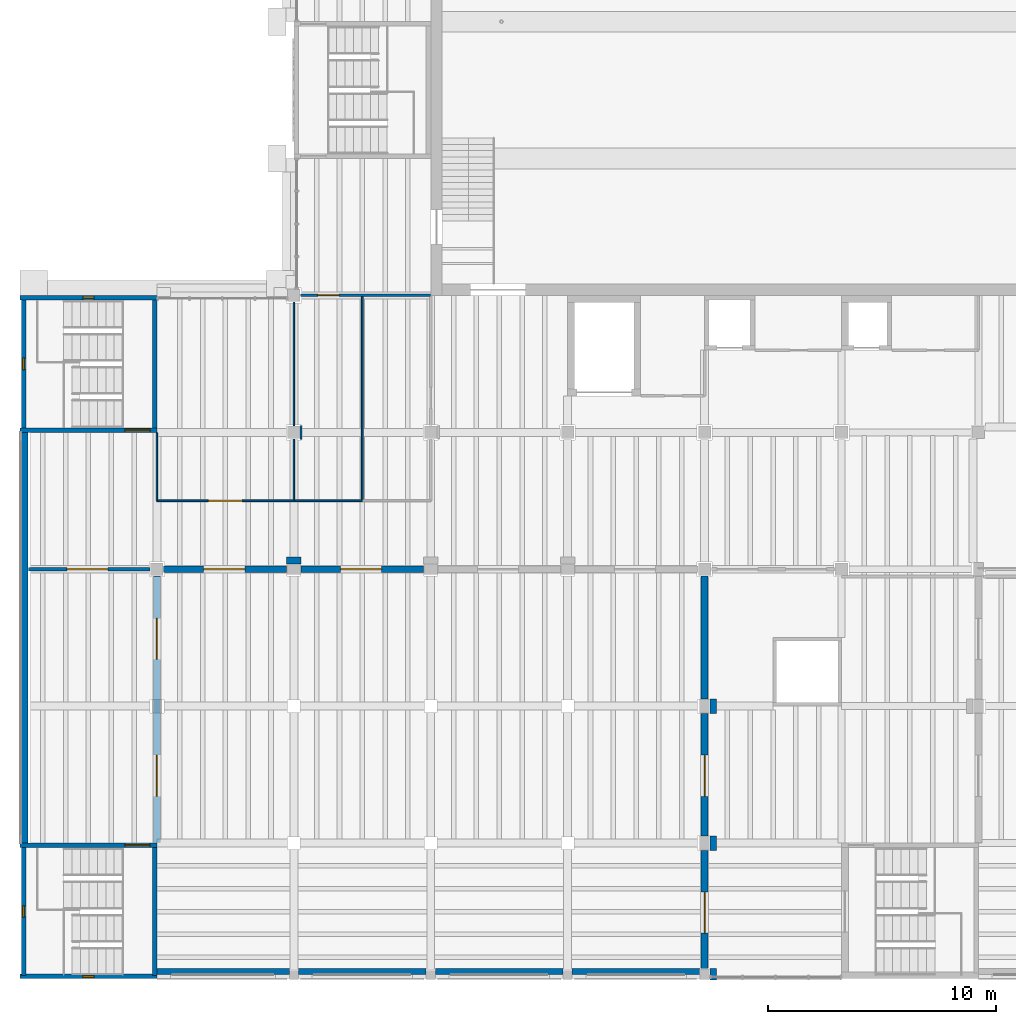
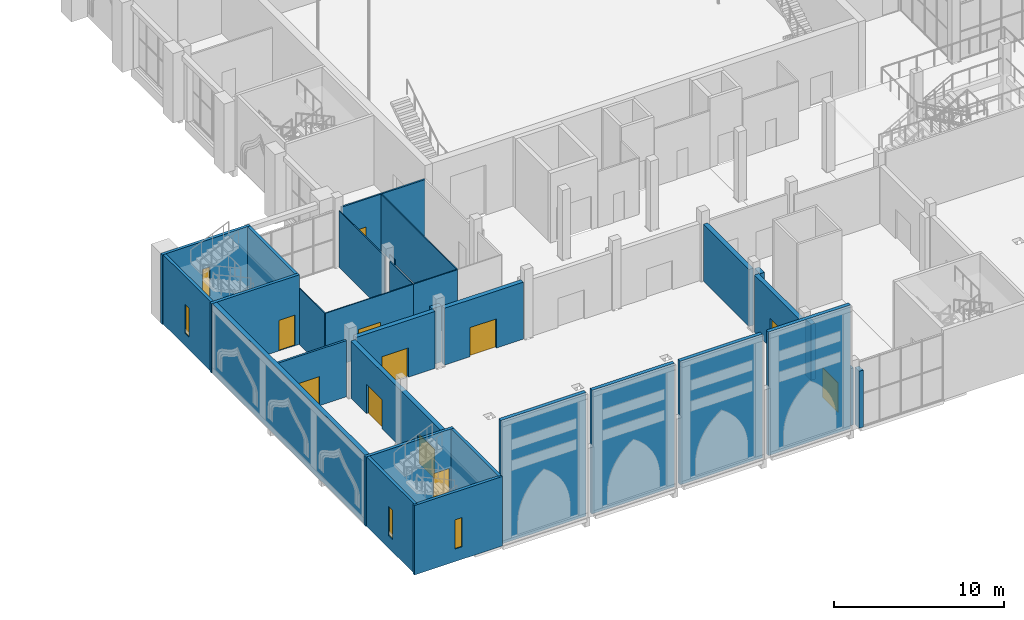
# One storey, part 37 of 80: 32 walls, 11 doors, 4 windows, 15 openings.
"""IFC4 building model written with IfcOpenShell, lengths in metres."""

from ifc_helpers import new_model, si_unit, direction, frame, frame_2d, origin, place, context, subcontext, project, spatial, rectangle, extrude, material, layer, layer_set, type_object, element, fill, save


model = new_model("IFC4")

# Units and contexts
model_context = context("Model", 3, precision=1e-05, world=origin(), true_north=direction((0.0, 1.0)))
body_context = subcontext(model_context, "Body", "Model", "MODEL_VIEW")
ifc_project = project(units=[si_unit("LENGTHUNIT", "METRE"), si_unit("AREAUNIT", "SQUARE_METRE"), si_unit("VOLUMEUNIT", "CUBIC_METRE"), si_unit("PLANEANGLEUNIT", "RADIAN"), si_unit("MASSUNIT", "GRAM", prefix="KILO")], contexts=[model_context])

# Site, building, storey
site_placement = place(None, origin())
site = spatial("IfcSite", under=ifc_project, at=site_placement, CompositionType="ELEMENT")
building_placement = place(site_placement, origin())
building = spatial("IfcBuilding", under=site, at=building_placement, Name="Saffron Lane Theatres", CompositionType="ELEMENT")
storey_placement = place(building_placement, frame((0.0, 0.0, 7.0)))
storey = spatial("IfcBuildingStorey", under=building, at=storey_placement, Name="L01", CompositionType="ELEMENT", Elevation=7.0)

# Walls
ifc_material_1 = material(Name="Masonry pale clay brick", Category="masonry")
ifc_layer_1 = layer(ifc_material_1, 0.25)
ifc_layer_set_1 = layer_set([ifc_layer_1], Name="Masonry pale clay brick")
wall_type_1 = type_object("IfcWallType", Name="EX-WALL BRICK 250", PredefinedType="SOLIDWALL", material=ifc_layer_set_1)
wall_1_placement = place(storey_placement, frame((29.799560546875, 0.375, 0.0), z_axis=(0.0, 0.0, 1.0), x_axis=(-1.0, 0.0, 0.0)))
element("IfcWall", 1, at=wall_1_placement, inside=storey, type_object=wall_type_1, Name="External wall L01 22", PredefinedType="SOLIDWALL", context=body_context, shape_type="SweptSolid", body=[
    extrude(rectangle(XDim=5.599609375, YDim=0.25, at=frame_2d((2.7998046875, 0.0))), origin(), (0.0, 0.0, 1.0), 8.89990234375),
])
for number, where, z_axis, x_axis, name in (
    (2, (23.800048828125, 0.375, 0.0), (0.0, 0.0, 1.0), (-1.0, 0.0, 0.0), "External wall L01 23"),
    (3, (17.800048828125, 0.375, 0.0), (0.0, 0.0, 1.0), (-1.0, 0.0, 0.0), "External wall L01 24"),
):
    element("IfcWall", number, at=place(storey_placement, frame(where, z_axis=z_axis, x_axis=x_axis)), inside=storey, type_object=wall_type_1, Name=name, PredefinedType="SOLIDWALL", context=body_context, shape_type="SweptSolid", body=[
        extrude(rectangle(XDim=5.60009765625, YDim=0.25, at=frame_2d((2.800048828125, 0.0))), origin(), (0.0, 0.0, 1.0), 8.89990234375),
    ])
wall_2_placement = place(storey_placement, frame((11.800048828125, 0.375, 0.0), z_axis=(0.0, 0.0, 1.0), x_axis=(-1.0, 0.0, 0.0)))
element("IfcWall", 4, at=wall_2_placement, inside=storey, type_object=wall_type_1, Name="External wall L01 25", PredefinedType="SOLIDWALL", context=body_context, shape_type="SweptSolid", body=[
    extrude(rectangle(XDim=5.800048828125, YDim=0.25, at=frame_2d((2.89990234375, 0.0))), origin(), (0.0, 0.0, 1.0), 8.89990234375),
])

# Wall, opening, door
ifc_material_2 = material(Name="Acoustic masonry fire wall", Category="masonry")
ifc_layer_2 = layer(ifc_material_2, 0.300048828125)
ifc_layer_set_2 = layer_set([ifc_layer_2], Name="Acoustic masonry fire wall")
wall_type_2 = type_object("IfcWallType", Name="IN-ACOUSTIC FIRE WALL 300", PredefinedType="PARTITIONING", material=ifc_layer_set_2)
wall_3_placement = place(storey_placement, frame((6.294921875, 18.0, 0.0), z_axis=(0.0, 0.0, 1.0), x_axis=(1.0, 0.0, 0.0)))
wall_3 = element("IfcWall", 5, at=wall_3_placement, inside=storey, type_object=wall_type_2, Name="PW-L01-001", PredefinedType="PARTITIONING", context=body_context, shape_type="SweptSolid", body=[
    extrude(rectangle(XDim=5.385009765625, YDim=0.300048828125, at=frame_2d((2.6923828125, 0.0))), origin(), (0.0, 0.0, 1.0), 4.10009765625),
])
opening_1_placement = place(wall_3_placement, frame((1.7548828125, 0.0, 0.0)))
opening_1 = element("IfcOpeningElement", 6, at=opening_1_placement, cuts=wall_3, Name="Opening D01-17", PredefinedType="OPENING", context=body_context, shape_type="SweptSolid", body=[
    extrude(rectangle(XDim=1.800048828125, YDim=2.10009765625, at=frame_2d((0.89990234375, 1.050048828125))), frame((0.0, 0.16015625, 0.0), z_axis=(0.0, -1.0, 0.0), x_axis=(1.0, 0.0, 0.0)), (0.0, 0.0, 1.0), 0.320068359375),
])
ifc_material_3 = material(Name="Steel faced fire door leaf", Category="steel")
door_type_1 = type_object("IfcDoorType", Name="IN-DOOR 1800x2100 FD120", OperationType="DOUBLE_DOOR_SINGLE_SWING", PredefinedType="DOOR", material=ifc_material_3)
door_1_placement = place(opening_1_placement, origin())
door_1 = element("IfcDoor", 7, at=door_1_placement, inside=storey, type_object=door_type_1, Name="D01-17", OperationType="DOUBLE_DOOR_SINGLE_SWING", OverallHeight=2.10009765625, OverallWidth=1.800048828125, PredefinedType="DOOR", context=body_context, shape_type="SweptSolid", body=[
    extrude(rectangle(XDim=1.800048828125, YDim=2.10009765625, at=frame_2d((0.89990234375, 1.050048828125))), frame((0.0, 0.02490234375, 0.0), z_axis=(0.0, -1.0, 0.0), x_axis=(1.0, 0.0, 0.0)), (0.0, 0.0, 1.0), 0.050048828125),
])
fill(opening_1, door_1)

wall_4_placement = place(storey_placement, frame((12.320068359375, 18.0, 0.0), z_axis=(0.0, 0.0, 1.0), x_axis=(1.0, 0.0, 0.0)))
wall_4 = element("IfcWall", 8, at=wall_4_placement, inside=storey, type_object=wall_type_2, Name="PW-L01-002", PredefinedType="PARTITIONING", context=body_context, shape_type="SweptSolid", body=[
    extrude(rectangle(XDim=5.35986328125, YDim=0.300048828125, at=frame_2d((2.679931640625, 0.0))), origin(), (0.0, 0.0, 1.0), 4.10009765625),
])
opening_2_placement = place(wall_4_placement, frame((1.72998046875, 0.0, 0.0)))
opening_2 = element("IfcOpeningElement", 9, at=opening_2_placement, cuts=wall_4, Name="Opening D01-18", PredefinedType="OPENING", context=body_context, shape_type="SweptSolid", body=[
    extrude(rectangle(XDim=1.800048828125, YDim=2.10009765625, at=frame_2d((0.89990234375, 1.050048828125))), frame((0.0, 0.16015625, 0.0), z_axis=(0.0, -1.0, 0.0), x_axis=(1.0, 0.0, 0.0)), (0.0, 0.0, 1.0), 0.320068359375),
])
door_2_placement = place(opening_2_placement, origin())
door_2 = element("IfcDoor", 10, at=door_2_placement, inside=storey, type_object=door_type_1, Name="D01-18", OperationType="DOUBLE_DOOR_SINGLE_SWING", OverallHeight=2.10009765625, OverallWidth=1.800048828125, PredefinedType="DOOR", context=body_context, shape_type="SweptSolid", body=[
    extrude(rectangle(XDim=1.800048828125, YDim=2.10009765625, at=frame_2d((0.89990234375, 1.050048828125))), frame((0.0, 0.02490234375, 0.0), z_axis=(0.0, -1.0, 0.0), x_axis=(1.0, 0.0, 0.0)), (0.0, 0.0, 1.0), 0.050048828125),
])
fill(opening_2, door_2)

# Wall
wall_5_placement = place(storey_placement, frame((11.679931640625, 18.3798828125, 0.0), z_axis=(0.0, 0.0, 1.0), x_axis=(1.0, 0.0, 0.0)))
element("IfcWall", 11, at=wall_5_placement, inside=storey, type_object=wall_type_2, Name="PW-L01-005", PredefinedType="PARTITIONING", context=body_context, shape_type="SweptSolid", body=[
    extrude(rectangle(XDim=0.64013671875, YDim=0.300048828125, at=frame_2d((0.320068359375, 0.0))), origin(), (0.0, 0.0, 1.0), 4.050048828125),
])

# Wall, openings, doors
ifc_material_4 = material(Name="Plasterboard")
ifc_layer_3 = layer(ifc_material_4, 0.026, Name="lining")
ifc_material_5 = material(Name="Mineral wool insulation")
ifc_layer_4 = layer(ifc_material_5, 0.087, Name="stud zone")
ifc_material_6 = material(Name="Air cavity", Category="air")
ifc_layer_5 = layer(ifc_material_6, 0.1, ventilated=True, Name="air gap")
ifc_layer_6 = layer(ifc_material_5, 0.061, Name="stud zone")
ifc_layer_7 = layer(ifc_material_4, 0.026, Name="lining")
ifc_layer_set_3 = layer_set([ifc_layer_3, ifc_layer_4, ifc_layer_5, ifc_layer_6, ifc_layer_7], Name="Acoustic plasterboard wall")
wall_type_3 = type_object("IfcWallType", Name="IN-ACOUSTIC WALL 300", PredefinedType="PARTITIONING", material=ifc_layer_set_3)
wall_6_placement = place(storey_placement, frame((6.0, 6.02001953125, 0.0), z_axis=(0.0, 0.0, 1.0), x_axis=(0.0, 1.0, 0.0)))
wall_6 = element("IfcWall", 12, at=wall_6_placement, inside=storey, type_object=wall_type_3, Name="PW-L01-011", PredefinedType="PARTITIONING", context=body_context, shape_type="SweptSolid", body=[
    extrude(rectangle(XDim=11.68505859375, YDim=0.300048828125, at=frame_2d((5.842529296875, 0.0))), origin(), (0.0, 0.0, 1.0), 4.10009765625),
])
opening_3_placement = place(wall_6_placement, frame((2.030029296875, 0.0, 0.0)))
opening_3 = element("IfcOpeningElement", 13, at=opening_3_placement, cuts=wall_6, Name="Opening D01-20", PredefinedType="OPENING", context=body_context, shape_type="SweptSolid", body=[
    extrude(rectangle(XDim=1.800048828125, YDim=2.10009765625, at=frame_2d((0.89990234375, 1.050048828125))), frame((0.0, 0.16015625, 0.0), z_axis=(0.0, -1.0, 0.0), x_axis=(1.0, 0.0, 0.0)), (0.0, 0.0, 1.0), 0.320068359375),
])
opening_4_placement = place(wall_6_placement, frame((8.030029296875, 0.0, 0.0)))
opening_4 = element("IfcOpeningElement", 14, at=opening_4_placement, cuts=wall_6, Name="Opening D01-21", PredefinedType="OPENING", context=body_context, shape_type="SweptSolid", body=[
    extrude(rectangle(XDim=1.800048828125, YDim=2.10009765625, at=frame_2d((0.89990234375, 1.050048828125))), frame((0.0, 0.16015625, 0.0), z_axis=(0.0, -1.0, 0.0), x_axis=(1.0, 0.0, 0.0)), (0.0, 0.0, 1.0), 0.320068359375),
])
ifc_material_7 = material(Name="Steel faced fire door leaf", Category="steel")
door_type_2 = type_object("IfcDoorType", Name="IN-DOOR 1800x2100 FD60", OperationType="DOUBLE_DOOR_SINGLE_SWING", PredefinedType="DOOR", material=ifc_material_7)
door_3_placement = place(opening_3_placement, origin())
door_3 = element("IfcDoor", 15, at=door_3_placement, inside=storey, type_object=door_type_2, Name="D01-20", OperationType="DOUBLE_DOOR_SINGLE_SWING", OverallHeight=2.10009765625, OverallWidth=1.800048828125, PredefinedType="DOOR", context=body_context, shape_type="SweptSolid", body=[
    extrude(rectangle(XDim=1.800048828125, YDim=2.10009765625, at=frame_2d((0.89990234375, 1.050048828125))), frame((0.0, 0.02490234375, 0.0), z_axis=(0.0, -1.0, 0.0), x_axis=(1.0, 0.0, 0.0)), (0.0, 0.0, 1.0), 0.050048828125),
])
fill(opening_3, door_3)
door_4_placement = place(opening_4_placement, origin())
door_4 = element("IfcDoor", 16, at=door_4_placement, inside=storey, type_object=door_type_2, Name="D01-21", OperationType="DOUBLE_DOOR_SINGLE_SWING", OverallHeight=2.10009765625, OverallWidth=1.800048828125, PredefinedType="DOOR", context=body_context, shape_type="SweptSolid", body=[
    extrude(rectangle(XDim=1.800048828125, YDim=2.10009765625, at=frame_2d((0.89990234375, 1.050048828125))), frame((0.0, 0.02490234375, 0.0), z_axis=(0.0, -1.0, 0.0), x_axis=(1.0, 0.0, 0.0)), (0.0, 0.0, 1.0), 0.050048828125),
])
fill(opening_4, door_4)

# Wall
wall_7_placement = place(storey_placement, frame((30.0, 12.320068359375, 0.0), z_axis=(0.0, 0.0, 1.0), x_axis=(0.0, 1.0, 0.0)))
element("IfcWall", 17, at=wall_7_placement, inside=storey, type_object=wall_type_3, Name="PW-L01-013", PredefinedType="PARTITIONING", context=body_context, shape_type="SweptSolid", body=[
    extrude(rectangle(XDim=5.385009765625, YDim=0.300048828125, at=frame_2d((2.6923828125, 0.0))), origin(), (0.0, 0.0, 1.0), 4.10009765625),
])

# Wall, opening, door
wall_8_placement = place(storey_placement, frame((30.0, 6.320068359375, 0.0), z_axis=(0.0, 0.0, 1.0), x_axis=(0.0, 1.0, 0.0)))
wall_8 = element("IfcWall", 18, at=wall_8_placement, inside=storey, type_object=wall_type_3, Name="PW-L01-014", PredefinedType="PARTITIONING", context=body_context, shape_type="SweptSolid", body=[
    extrude(rectangle(XDim=5.35986328125, YDim=0.300048828125, at=frame_2d((2.679931640625, 0.0))), origin(), (0.0, 0.0, 1.0), 4.10009765625),
])
opening_5_placement = place(wall_8_placement, frame((1.72998046875, 0.0, 0.0)))
opening_5 = element("IfcOpeningElement", 19, at=opening_5_placement, cuts=wall_8, Name="Opening D01-23", PredefinedType="OPENING", context=body_context, shape_type="SweptSolid", body=[
    extrude(rectangle(XDim=1.800048828125, YDim=2.10009765625, at=frame_2d((0.89990234375, 1.050048828125))), frame((0.0, 0.16015625, 0.0), z_axis=(0.0, -1.0, 0.0), x_axis=(1.0, 0.0, 0.0)), (0.0, 0.0, 1.0), 0.320068359375),
])
door_5_placement = place(opening_5_placement, frame((1.800048828125, 0.0, 0.0), z_axis=(0.0, 0.0, 1.0), x_axis=(-1.0, 0.0, 0.0)))
door_5 = element("IfcDoor", 20, at=door_5_placement, inside=storey, type_object=door_type_2, Name="D01-23", OperationType="DOUBLE_DOOR_SINGLE_SWING", OverallHeight=2.10009765625, OverallWidth=1.800048828125, PredefinedType="DOOR", context=body_context, shape_type="SweptSolid", body=[
    extrude(rectangle(XDim=1.800048828125, YDim=2.10009765625, at=frame_2d((0.89990234375, 1.050048828125))), frame((0.0, 0.02490234375, 0.0), z_axis=(0.0, -1.0, 0.0), x_axis=(1.0, 0.0, 0.0)), (0.0, 0.0, 1.0), 0.050048828125),
])
fill(opening_5, door_5)

wall_9_placement = place(storey_placement, frame((30.0, 0.49560546875, 0.0), z_axis=(0.0, 0.0, 1.0), x_axis=(0.0, 1.0, 0.0)))
wall_9 = element("IfcWall", 21, at=wall_9_placement, inside=storey, type_object=wall_type_3, Name="PW-L01-015", PredefinedType="PARTITIONING", context=body_context, shape_type="SweptSolid", body=[
    extrude(rectangle(XDim=5.184326171875, YDim=0.300048828125, at=frame_2d((2.59228515625, 0.0))), origin(), (0.0, 0.0, 1.0), 4.10009765625),
])
opening_6_placement = place(wall_9_placement, frame((1.554443359375, 0.0, 0.0)))
opening_6 = element("IfcOpeningElement", 22, at=opening_6_placement, cuts=wall_9, Name="Opening D01-22", PredefinedType="OPENING", context=body_context, shape_type="SweptSolid", body=[
    extrude(rectangle(XDim=1.800048828125, YDim=2.10009765625, at=frame_2d((0.89990234375, 1.050048828125))), frame((0.0, 0.16015625, 0.0), z_axis=(0.0, -1.0, 0.0), x_axis=(1.0, 0.0, 0.0)), (0.0, 0.0, 1.0), 0.320068359375),
])
door_6_placement = place(opening_6_placement, frame((1.800048828125, 0.0, 0.0), z_axis=(0.0, 0.0, 1.0), x_axis=(-1.0, 0.0, 0.0)))
door_6 = element("IfcDoor", 23, at=door_6_placement, inside=storey, type_object=door_type_2, Name="D01-22", OperationType="DOUBLE_DOOR_SINGLE_SWING", OverallHeight=2.10009765625, OverallWidth=1.800048828125, PredefinedType="DOOR", context=body_context, shape_type="SweptSolid", body=[
    extrude(rectangle(XDim=1.800048828125, YDim=2.10009765625, at=frame_2d((0.89990234375, 1.050048828125))), frame((0.0, 0.02490234375, 0.0), z_axis=(0.0, -1.0, 0.0), x_axis=(1.0, 0.0, 0.0)), (0.0, 0.0, 1.0), 0.050048828125),
])
fill(opening_6, door_6)

# Walls
for number, where, z_axis, x_axis, name in (
    (24, (30.3798828125, 11.679931640625, 0.0), (0.0, 0.0, 1.0), (0.0, 1.0, 0.0), "PW-L01-016"),
    (25, (30.3798828125, 5.679931640625, 0.0), (0.0, 0.0, 1.0), (0.0, 1.0, 0.0), "PW-L01-017"),
):
    element("IfcWall", number, at=place(storey_placement, frame(where, z_axis=z_axis, x_axis=x_axis)), inside=storey, type_object=wall_type_3, Name=name, PredefinedType="PARTITIONING", context=body_context, shape_type="SweptSolid", body=[
        extrude(rectangle(XDim=0.64013671875, YDim=0.300048828125, at=frame_2d((0.320068359375, 0.0))), origin(), (0.0, 0.0, 1.0), 4.050048828125),
    ])
wall_10_placement = place(storey_placement, frame((30.3798828125, 0.005615234375, 0.0), z_axis=(0.0, 0.0, 1.0), x_axis=(0.0, 1.0, 0.0)))
element("IfcWall", 26, at=wall_10_placement, inside=storey, type_object=wall_type_3, Name="PW-L01-018", PredefinedType="PARTITIONING", context=body_context, shape_type="SweptSolid", body=[
    extrude(rectangle(XDim=0.489990234375, YDim=0.300048828125, at=frame_2d((0.2451171875, 0.0))), origin(), (0.0, 0.0, 1.0), 4.10009765625),
])

# Wall, opening, door
ifc_material_8 = material(Name="Masonry block partition", Category="masonry")
ifc_layer_8 = layer(ifc_material_8, 0.110107421875)
ifc_layer_set_4 = layer_set([ifc_layer_8], Name="Masonry block partition")
wall_type_4 = type_object("IfcWallType", Name="IN-BLOCK PARTITION 110", PredefinedType="PARTITIONING", material=ifc_layer_set_4)
wall_11_placement = place(storey_placement, frame((12.294921875, 30.0, 0.0), z_axis=(0.0, 0.0, 1.0), x_axis=(1.0, 0.0, 0.0)))
wall_11 = element("IfcWall", 27, at=wall_11_placement, inside=storey, type_object=wall_type_4, Name="PW-L01-027", PredefinedType="PARTITIONING", context=body_context, shape_type="SweptSolid", body=[
    extrude(rectangle(XDim=5.68505859375, YDim=0.110107421875, at=frame_2d((2.842529296875, 0.0))), origin(), (0.0, 0.0, 1.0), 4.050048828125),
])
opening_7_placement = place(wall_11_placement, frame((0.7548828125, 0.0, 0.0)))
opening_7 = element("IfcOpeningElement", 28, at=opening_7_placement, cuts=wall_11, Name="Opening D01-26", PredefinedType="OPENING", context=body_context, shape_type="SweptSolid", body=[
    extrude(rectangle(XDim=0.919921875, YDim=2.0400390625, at=frame_2d((0.4599609375, 1.02001953125))), frame((0.0, 0.06494140625, 0.0), z_axis=(0.0, -1.0, 0.0), x_axis=(1.0, 0.0, 0.0)), (0.0, 0.0, 1.0), 0.130126953125),
])
ifc_material_9 = material(Name="Steel faced fire door leaf", Category="steel")
door_type_3 = type_object("IfcDoorType", Name="IN-DOOR 920x2040 FD60", OperationType="NOTDEFINED", PredefinedType="DOOR", material=ifc_material_9)
door_7_placement = place(opening_7_placement, frame((0.919921875, 0.0, 0.0), z_axis=(0.0, 0.0, 1.0), x_axis=(-1.0, 0.0, 0.0)))
door_7 = element("IfcDoor", 29, at=door_7_placement, inside=storey, type_object=door_type_3, Name="D01-26", OperationType="SINGLE_SWING_RIGHT", OverallHeight=2.0400390625, OverallWidth=0.919921875, PredefinedType="DOOR", context=body_context, shape_type="SweptSolid", body=[
    extrude(rectangle(XDim=0.919921875, YDim=2.0400390625, at=frame_2d((0.4599609375, 1.02001953125))), frame((0.0, 0.02490234375, 0.0), z_axis=(0.0, -1.0, 0.0), x_axis=(1.0, 0.0, 0.0)), (0.0, 0.0, 1.0), 0.050048828125),
])
fill(opening_7, door_7)

ifc_material_10 = material(Name="Masonry block partition", Category="masonry")
ifc_layer_9 = layer(ifc_material_10, 0.139892578125)
ifc_layer_set_5 = layer_set([ifc_layer_9], Name="Masonry block partition")
wall_type_5 = type_object("IfcWallType", Name="IN-BLOCK PARTITION 140", PredefinedType="PARTITIONING", material=ifc_layer_set_5)
wall_12_placement = place(storey_placement, frame((0.3798828125, 18.0, 0.0), z_axis=(0.0, 0.0, 1.0), x_axis=(1.0, 0.0, 0.0)))
wall_12 = element("IfcWall", 30, at=wall_12_placement, inside=storey, type_object=wall_type_5, Name="PW-L01-048", PredefinedType="PARTITIONING", context=body_context, shape_type="SweptSolid", body=[
    extrude(rectangle(XDim=5.3251953125, YDim=0.139892578125, at=frame_2d((2.66259765625, 0.0))), origin(), (0.0, 0.0, 1.0), 4.050048828125),
])
opening_8_placement = place(wall_12_placement, frame((1.669921875, 0.0, 0.0)))
opening_8 = element("IfcOpeningElement", 31, at=opening_8_placement, cuts=wall_12, Name="Opening D01-69", PredefinedType="OPENING", context=body_context, shape_type="SweptSolid", body=[
    extrude(rectangle(XDim=1.800048828125, YDim=2.10009765625, at=frame_2d((0.89990234375, 1.050048828125))), frame((0.0, 0.080078125, 0.0), z_axis=(0.0, -1.0, 0.0), x_axis=(1.0, 0.0, 0.0)), (0.0, 0.0, 1.0), 0.159912109375),
])
door_8_placement = place(opening_8_placement, frame((1.800048828125, 0.0, 0.0), z_axis=(0.0, 0.0, 1.0), x_axis=(-1.0, 0.0, 0.0)))
door_8 = element("IfcDoor", 32, at=door_8_placement, inside=storey, type_object=door_type_1, Name="D01-69", OperationType="DOUBLE_DOOR_SINGLE_SWING", OverallHeight=2.10009765625, OverallWidth=1.800048828125, PredefinedType="DOOR", context=body_context, shape_type="SweptSolid", body=[
    extrude(rectangle(XDim=1.800048828125, YDim=2.10009765625, at=frame_2d((0.89990234375, 1.050048828125))), frame((0.0, 0.02490234375, 0.0), z_axis=(0.0, -1.0, 0.0), x_axis=(1.0, 0.0, 0.0)), (0.0, 0.0, 1.0), 0.050048828125),
])
fill(opening_8, door_8)

# Wall
ifc_material_11 = material(Name="Plasterboard on 70 mm steel studs", Category="steel")
ifc_layer_10 = layer(ifc_material_11, 0.070068359375)
ifc_layer_set_6 = layer_set([ifc_layer_10], Name="Plasterboard on 70 mm steel studs")
wall_type_6 = type_object("IfcWallType", Name="IN-STUD PARTITION 070", PredefinedType="PARTITIONING", material=ifc_layer_set_6)
wall_13_placement = place(storey_placement, frame((6.0, 21.0, 0.0), z_axis=(0.0, 0.0, 1.0), x_axis=(0.0, 1.0, 0.0)))
element("IfcWall", 33, at=wall_13_placement, inside=storey, type_object=wall_type_6, Name="PW-L01-064", PredefinedType="PARTITIONING", context=body_context, shape_type="SweptSolid", body=[
    extrude(rectangle(XDim=2.97998046875, YDim=0.070068359375, at=frame_2d((1.489990234375, 0.0))), origin(), (0.0, 0.0, 1.0), 4.050048828125),
])

# Wall, opening, door
wall_14_placement = place(storey_placement, frame((6.0, 21.0, 0.0), z_axis=(0.0, 0.0, 1.0), x_axis=(1.0, 0.0, 0.0)))
wall_14 = element("IfcWall", 34, at=wall_14_placement, inside=storey, type_object=wall_type_6, Name="PW-L01-065", PredefinedType="PARTITIONING", context=body_context, shape_type="SweptSolid", body=[
    extrude(rectangle(XDim=6.0, YDim=0.070068359375, at=frame_2d((3.0, 0.0))), origin(), (0.0, 0.0, 1.0), 4.050048828125),
])
opening_9_placement = place(wall_14_placement, frame((2.25, 0.0, 0.0)))
opening_9 = element("IfcOpeningElement", 35, at=opening_9_placement, cuts=wall_14, Name="Opening D01-25", PredefinedType="OPENING", context=body_context, shape_type="SweptSolid", body=[
    extrude(rectangle(XDim=1.5, YDim=2.10009765625, at=frame_2d((0.75, 1.050048828125))), frame((0.0, 0.044921875, 0.0), z_axis=(0.0, -1.0, 0.0), x_axis=(1.0, 0.0, 0.0)), (0.0, 0.0, 1.0), 0.090087890625),
])
ifc_material_12 = material(Name="Timber door leaf", Category="wood")
door_type_4 = type_object("IfcDoorType", Name="IN-DOOR 1500x2100", OperationType="DOUBLE_DOOR_SINGLE_SWING", PredefinedType="DOOR", material=ifc_material_12)
door_9_placement = place(opening_9_placement, origin())
door_9 = element("IfcDoor", 36, at=door_9_placement, inside=storey, type_object=door_type_4, Name="D01-25", OperationType="DOUBLE_DOOR_SINGLE_SWING", OverallHeight=2.10009765625, OverallWidth=1.5, PredefinedType="DOOR", context=body_context, shape_type="SweptSolid", body=[
    extrude(rectangle(XDim=1.5, YDim=2.10009765625, at=frame_2d((0.75, 1.050048828125))), frame((0.0, 0.02490234375, 0.0), z_axis=(0.0, -1.0, 0.0), x_axis=(1.0, 0.0, 0.0)), (0.0, 0.0, 1.0), 0.050048828125),
])
fill(opening_9, door_9)

# Walls
wall_15_placement = place(storey_placement, frame((12.0, 21.0, 0.0), z_axis=(0.0, 0.0, 1.0), x_axis=(1.0, 0.0, 0.0)))
element("IfcWall", 37, at=wall_15_placement, inside=storey, type_object=wall_type_6, Name="PW-L01-066", PredefinedType="PARTITIONING", context=body_context, shape_type="SweptSolid", body=[
    extrude(rectangle(XDim=3.0, YDim=0.070068359375, at=frame_2d((1.5, 0.0))), origin(), (0.0, 0.0, 1.0), 4.050048828125),
])
wall_16_placement = place(storey_placement, frame((12.0, 24.294921875, 0.0), z_axis=(0.0, 0.0, 1.0), x_axis=(0.0, 1.0, 0.0)))
element("IfcWall", 38, at=wall_16_placement, inside=storey, type_object=wall_type_6, Name="PW-L01-067", PredefinedType="PARTITIONING", context=body_context, shape_type="SweptSolid", body=[
    extrude(rectangle(XDim=5.41015625, YDim=0.070068359375, at=frame_2d((2.705078125, 0.0))), origin(), (0.0, 0.0, 1.0), 4.050048828125),
])
wall_17_placement = place(storey_placement, frame((12.0, 21.0, 0.0), z_axis=(0.0, 0.0, 1.0), x_axis=(0.0, 1.0, 0.0)))
element("IfcWall", 39, at=wall_17_placement, inside=storey, type_object=wall_type_6, Name="PW-L01-068", PredefinedType="PARTITIONING", context=body_context, shape_type="SweptSolid", body=[
    extrude(rectangle(XDim=2.705078125, YDim=0.070068359375, at=frame_2d((1.3525390625, 0.0))), origin(), (0.0, 0.0, 1.0), 4.050048828125),
])
wall_18_placement = place(storey_placement, frame((12.31494140625, 23.705078125, 0.0), z_axis=(0.0, 0.0, 1.0), x_axis=(0.0, 1.0, 0.0)))
element("IfcWall", 40, at=wall_18_placement, inside=storey, type_object=wall_type_6, Name="PW-L01-069", PredefinedType="PARTITIONING", context=body_context, shape_type="SweptSolid", body=[
    extrude(rectangle(XDim=0.58984375, YDim=0.070068359375, at=frame_2d((0.294921875, 0.0))), origin(), (0.0, 0.0, 1.0), 4.050048828125),
])
wall_19_placement = place(storey_placement, frame((15.0, 21.0, 0.0), z_axis=(0.0, 0.0, 1.0), x_axis=(0.0, 1.0, 0.0)))
element("IfcWall", 41, at=wall_19_placement, inside=storey, type_object=wall_type_6, Name="PW-L01-071", PredefinedType="PARTITIONING", context=body_context, shape_type="SweptSolid", body=[
    extrude(rectangle(XDim=9.0, YDim=0.070068359375, at=frame_2d((4.5, 0.0))), origin(), (0.0, 0.0, 1.0), 4.050048828125),
])

# Wall, opening, door
ifc_material_13 = material(Name="Concrete N50 (50 MPa)", Category="concrete")
ifc_layer_11 = layer(ifc_material_13, 0.199951171875)
ifc_layer_set_7 = layer_set([ifc_layer_11], Name="Concrete N50 (50 MPa)")
wall_type_7 = type_object("IfcWallType", Name="RC-CORE 200", PredefinedType="SHEAR", material=ifc_layer_set_7)
wall_20_placement = place(storey_placement, frame((0.0, 5.89990234375, 0.0), z_axis=(0.0, 0.0, 1.0), x_axis=(1.0, 0.0, 0.0)))
wall_20 = element("IfcWall", 42, at=wall_20_placement, inside=storey, type_object=wall_type_7, Name="W-ST7-N-L01", PredefinedType="SHEAR", context=body_context, shape_type="SweptSolid", body=[
    extrude(rectangle(XDim=6.0, YDim=0.199951171875, at=frame_2d((3.0, 0.0))), origin(), (0.0, 0.0, 1.0), 5.0),
])
opening_10_placement = place(wall_20_placement, frame((4.60009765625, 0.0, 0.0)))
opening_10 = element("IfcOpeningElement", 43, at=opening_10_placement, cuts=wall_20, Name="Opening D01-43", PredefinedType="OPENING", context=body_context, shape_type="SweptSolid", body=[
    extrude(rectangle(XDim=1.10009765625, YDim=2.199951171875, at=frame_2d((0.550048828125, 1.10009765625))), frame((0.0, 0.10986328125, 0.0), z_axis=(0.0, -1.0, 0.0), x_axis=(1.0, 0.0, 0.0)), (0.0, 0.0, 1.0), 0.219970703125),
])
ifc_material_14 = material(Name="Steel faced fire door leaf", Category="steel")
door_type_5 = type_object("IfcDoorType", Name="IN-DOOR 1100x2200 FD120", OperationType="NOTDEFINED", PredefinedType="DOOR", material=ifc_material_14)
door_10_placement = place(opening_10_placement, frame((1.10009765625, 0.0, 0.0), z_axis=(0.0, 0.0, 1.0), x_axis=(-1.0, 0.0, 0.0)))
door_10 = element("IfcDoor", 44, at=door_10_placement, inside=storey, type_object=door_type_5, Name="D01-43", OperationType="SINGLE_SWING_RIGHT", OverallHeight=2.199951171875, OverallWidth=1.10009765625, PredefinedType="DOOR", context=body_context, shape_type="SweptSolid", body=[
    extrude(rectangle(XDim=1.10009765625, YDim=2.199951171875, at=frame_2d((0.550048828125, 1.10009765625))), frame((0.0, 0.02490234375, 0.0), z_axis=(0.0, -1.0, 0.0), x_axis=(1.0, 0.0, 0.0)), (0.0, 0.0, 1.0), 0.050048828125),
])
fill(opening_10, door_10)

# Wall
wall_21_placement = place(storey_placement, frame((5.89990234375, 0.199951171875, 0.0), z_axis=(0.0, 0.0, 1.0), x_axis=(0.0, 1.0, 0.0)))
element("IfcWall", 45, at=wall_21_placement, inside=storey, type_object=wall_type_7, Name="W-ST7-E-L01", PredefinedType="SHEAR", context=body_context, shape_type="SweptSolid", body=[
    extrude(rectangle(XDim=5.60009765625, YDim=0.199951171875, at=frame_2d((2.800048828125, 0.0))), origin(), (0.0, 0.0, 1.0), 5.0),
])

# Wall, opening, door
wall_22_placement = place(storey_placement, frame((0.0, 24.10009765625, 0.0), z_axis=(0.0, 0.0, 1.0), x_axis=(1.0, 0.0, 0.0)))
wall_22 = element("IfcWall", 46, at=wall_22_placement, inside=storey, type_object=wall_type_7, Name="W-ST12-S-L01", PredefinedType="SHEAR", context=body_context, shape_type="SweptSolid", body=[
    extrude(rectangle(XDim=6.0, YDim=0.199951171875, at=frame_2d((3.0, 0.0))), origin(), (0.0, 0.0, 1.0), 5.0),
])
opening_11_placement = place(wall_22_placement, frame((4.60009765625, 0.0, 0.0)))
opening_11 = element("IfcOpeningElement", 47, at=opening_11_placement, cuts=wall_22, Name="Opening D01-46", PredefinedType="OPENING", context=body_context, shape_type="SweptSolid", body=[
    extrude(rectangle(XDim=1.10009765625, YDim=2.199951171875, at=frame_2d((0.550048828125, 1.10009765625))), frame((0.0, 0.10986328125, 0.0), z_axis=(0.0, -1.0, 0.0), x_axis=(1.0, 0.0, 0.0)), (0.0, 0.0, 1.0), 0.219970703125),
])
door_11_placement = place(opening_11_placement, origin())
door_11 = element("IfcDoor", 48, at=door_11_placement, inside=storey, type_object=door_type_5, Name="D01-46", OperationType="SINGLE_SWING_LEFT", OverallHeight=2.199951171875, OverallWidth=1.10009765625, PredefinedType="DOOR", context=body_context, shape_type="SweptSolid", body=[
    extrude(rectangle(XDim=1.10009765625, YDim=2.199951171875, at=frame_2d((0.550048828125, 1.10009765625))), frame((0.0, 0.02490234375, 0.0), z_axis=(0.0, -1.0, 0.0), x_axis=(1.0, 0.0, 0.0)), (0.0, 0.0, 1.0), 0.050048828125),
])
fill(opening_11, door_11)

# Wall
wall_23_placement = place(storey_placement, frame((5.89990234375, 24.199951171875, 0.0), z_axis=(0.0, 0.0, 1.0), x_axis=(0.0, 1.0, 0.0)))
element("IfcWall", 49, at=wall_23_placement, inside=storey, type_object=wall_type_7, Name="W-ST12-E-L01", PredefinedType="SHEAR", context=body_context, shape_type="SweptSolid", body=[
    extrude(rectangle(XDim=5.60009765625, YDim=0.199951171875, at=frame_2d((2.800048828125, 0.0))), origin(), (0.0, 0.0, 1.0), 5.0),
])

# Wall, opening, window
ifc_material_15 = material(Name="Concrete N50 (50 MPa)", Category="concrete")
ifc_layer_12 = layer(ifc_material_15, 0.199951171875)
ifc_layer_set_8 = layer_set([ifc_layer_12], Name="Concrete N50 (50 MPa)")
wall_type_8 = type_object("IfcWallType", Name="RC-CORE EXTERNAL 200", PredefinedType="SHEAR", material=ifc_layer_set_8)
wall_24_placement = place(storey_placement, frame((0.0, 0.159912109375, 0.0), z_axis=(0.0, 0.0, 1.0), x_axis=(1.0, 0.0, 0.0)))
wall_24 = element("IfcWall", 50, at=wall_24_placement, inside=storey, type_object=wall_type_8, Name="W-ST7-S-L01", PredefinedType="SHEAR", context=body_context, shape_type="SweptSolid", body=[
    extrude(rectangle(XDim=6.0, YDim=0.199951171875, at=frame_2d((3.0, 0.0))), origin(), (0.0, 0.0, 1.0), 5.0),
])
opening_12_placement = place(wall_24_placement, frame((2.75, 0.0, 0.89990234375)))
opening_12 = element("IfcOpeningElement", 51, at=opening_12_placement, cuts=wall_24, Name="Opening WN01-013", PredefinedType="OPENING", context=body_context, shape_type="SweptSolid", body=[
    extrude(rectangle(XDim=0.5, YDim=2.10009765625, at=frame_2d((0.25, 1.050048828125))), frame((0.0, 0.10986328125, 0.0), z_axis=(0.0, -1.0, 0.0), x_axis=(1.0, 0.0, 0.0)), (0.0, 0.0, 1.0), 0.219970703125),
])
ifc_material_16 = material(Name="Aluminium", Category="aluminium")
window_type = type_object("IfcWindowType", Name="EX-WINDOW 500x2100", PartitioningType="SINGLE_PANEL", PredefinedType="WINDOW", material=ifc_material_16)
window_1_placement = place(opening_12_placement, origin())
window_1 = element("IfcWindow", 52, at=window_1_placement, inside=storey, type_object=window_type, Name="Stair light ST7 L01", OverallHeight=2.10009765625, OverallWidth=0.5, PartitioningType="SINGLE_PANEL", PredefinedType="WINDOW", context=body_context, shape_type="SweptSolid", body=[
    extrude(rectangle(XDim=0.5, YDim=2.10009765625, at=frame_2d((0.25, 1.050048828125))), frame((0.0, 0.030029296875, 0.0), z_axis=(0.0, -1.0, 0.0), x_axis=(1.0, 0.0, 0.0)), (0.0, 0.0, 1.0), 0.06005859375),
])
fill(opening_12, window_1)

wall_25_placement = place(storey_placement, frame((0.159912109375, 0.199951171875, 0.0), z_axis=(0.0, 0.0, 1.0), x_axis=(0.0, 1.0, 0.0)))
wall_25 = element("IfcWall", 53, at=wall_25_placement, inside=storey, type_object=wall_type_8, Name="W-ST7-W-L01", PredefinedType="SHEAR", context=body_context, shape_type="SweptSolid", body=[
    extrude(rectangle(XDim=5.60009765625, YDim=0.199951171875, at=frame_2d((2.800048828125, 0.0))), origin(), (0.0, 0.0, 1.0), 5.0),
])
opening_13_placement = place(wall_25_placement, frame((2.550048828125, 0.0, 0.89990234375)))
opening_13 = element("IfcOpeningElement", 54, at=opening_13_placement, cuts=wall_25, Name="Opening WN01-014", PredefinedType="OPENING", context=body_context, shape_type="SweptSolid", body=[
    extrude(rectangle(XDim=0.5, YDim=2.10009765625, at=frame_2d((0.25, 1.050048828125))), frame((0.0, 0.10986328125, 0.0), z_axis=(0.0, -1.0, 0.0), x_axis=(1.0, 0.0, 0.0)), (0.0, 0.0, 1.0), 0.219970703125),
])
window_2_placement = place(opening_13_placement, origin())
window_2 = element("IfcWindow", 55, at=window_2_placement, inside=storey, type_object=window_type, Name="Stair light ST7 L01", OverallHeight=2.10009765625, OverallWidth=0.5, PartitioningType="SINGLE_PANEL", PredefinedType="WINDOW", context=body_context, shape_type="SweptSolid", body=[
    extrude(rectangle(XDim=0.5, YDim=2.10009765625, at=frame_2d((0.25, 1.050048828125))), frame((0.0, 0.030029296875, 0.0), z_axis=(0.0, -1.0, 0.0), x_axis=(1.0, 0.0, 0.0)), (0.0, 0.0, 1.0), 0.06005859375),
])
fill(opening_13, window_2)

wall_26_placement = place(storey_placement, frame((0.0, 29.89990234375, 0.0), z_axis=(0.0, 0.0, 1.0), x_axis=(1.0, 0.0, 0.0)))
wall_26 = element("IfcWall", 56, at=wall_26_placement, inside=storey, type_object=wall_type_8, Name="W-ST12-N-L01", PredefinedType="SHEAR", context=body_context, shape_type="SweptSolid", body=[
    extrude(rectangle(XDim=6.0, YDim=0.199951171875, at=frame_2d((3.0, 0.0))), origin(), (0.0, 0.0, 1.0), 5.0),
])
opening_14_placement = place(wall_26_placement, frame((2.75, 0.0, 0.89990234375)))
opening_14 = element("IfcOpeningElement", 57, at=opening_14_placement, cuts=wall_26, Name="Opening WN01-015", PredefinedType="OPENING", context=body_context, shape_type="SweptSolid", body=[
    extrude(rectangle(XDim=0.5, YDim=2.10009765625, at=frame_2d((0.25, 1.050048828125))), frame((0.0, 0.10986328125, 0.0), z_axis=(0.0, -1.0, 0.0), x_axis=(1.0, 0.0, 0.0)), (0.0, 0.0, 1.0), 0.219970703125),
])
window_3_placement = place(opening_14_placement, origin())
window_3 = element("IfcWindow", 58, at=window_3_placement, inside=storey, type_object=window_type, Name="Stair light ST12 L01", OverallHeight=2.10009765625, OverallWidth=0.5, PartitioningType="SINGLE_PANEL", PredefinedType="WINDOW", context=body_context, shape_type="SweptSolid", body=[
    extrude(rectangle(XDim=0.5, YDim=2.10009765625, at=frame_2d((0.25, 1.050048828125))), frame((0.0, 0.030029296875, 0.0), z_axis=(0.0, -1.0, 0.0), x_axis=(1.0, 0.0, 0.0)), (0.0, 0.0, 1.0), 0.06005859375),
])
fill(opening_14, window_3)

wall_27_placement = place(storey_placement, frame((0.159912109375, 24.199951171875, 0.0), z_axis=(0.0, 0.0, 1.0), x_axis=(0.0, 1.0, 0.0)))
wall_27 = element("IfcWall", 59, at=wall_27_placement, inside=storey, type_object=wall_type_8, Name="W-ST12-W-L01", PredefinedType="SHEAR", context=body_context, shape_type="SweptSolid", body=[
    extrude(rectangle(XDim=5.60009765625, YDim=0.199951171875, at=frame_2d((2.800048828125, 0.0))), origin(), (0.0, 0.0, 1.0), 5.0),
])
opening_15_placement = place(wall_27_placement, frame((2.550048828125, 0.0, 0.89990234375)))
opening_15 = element("IfcOpeningElement", 60, at=opening_15_placement, cuts=wall_27, Name="Opening WN01-016", PredefinedType="OPENING", context=body_context, shape_type="SweptSolid", body=[
    extrude(rectangle(XDim=0.5, YDim=2.10009765625, at=frame_2d((0.25, 1.050048828125))), frame((0.0, 0.10986328125, 0.0), z_axis=(0.0, -1.0, 0.0), x_axis=(1.0, 0.0, 0.0)), (0.0, 0.0, 1.0), 0.219970703125),
])
window_4_placement = place(opening_15_placement, origin())
window_4 = element("IfcWindow", 61, at=window_4_placement, inside=storey, type_object=window_type, Name="Stair light ST12 L01", OverallHeight=2.10009765625, OverallWidth=0.5, PartitioningType="SINGLE_PANEL", PredefinedType="WINDOW", context=body_context, shape_type="SweptSolid", body=[
    extrude(rectangle(XDim=0.5, YDim=2.10009765625, at=frame_2d((0.25, 1.050048828125))), frame((0.0, 0.030029296875, 0.0), z_axis=(0.0, -1.0, 0.0), x_axis=(1.0, 0.0, 0.0)), (0.0, 0.0, 1.0), 0.06005859375),
])
fill(opening_15, window_4)

# Wall
ifc_material_17 = material(Name="Concrete N50 (50 MPa)", Category="concrete")
ifc_layer_13 = layer(ifc_material_17, 0.300048828125)
ifc_layer_set_9 = layer_set([ifc_layer_13], Name="Concrete N50 (50 MPa)")
wall_type_9 = type_object("IfcWallType", Name="RC-PARTY 300", PredefinedType="SOLIDWALL", material=ifc_layer_set_9)
wall_28_placement = place(storey_placement, frame((0.2099609375, 6.0, 0.0), z_axis=(0.0, 0.0, 1.0), x_axis=(0.0, 1.0, 0.0)))
element("IfcWall", 62, at=wall_28_placement, inside=storey, type_object=wall_type_9, Name="W-PARTY-W-6-L01", PredefinedType="SOLIDWALL", context=body_context, shape_type="SweptSolid", body=[
    extrude(rectangle(XDim=18.0, YDim=0.300048828125, at=frame_2d((9.0, 0.0))), origin(), (0.0, 0.0, 1.0), 5.0),
])

save(model, "model.ifc")
